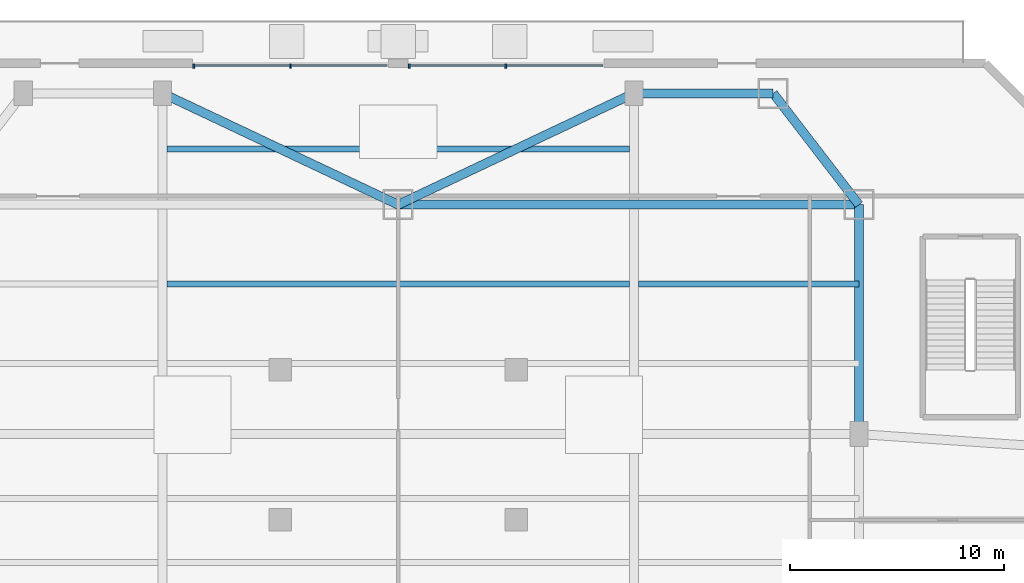
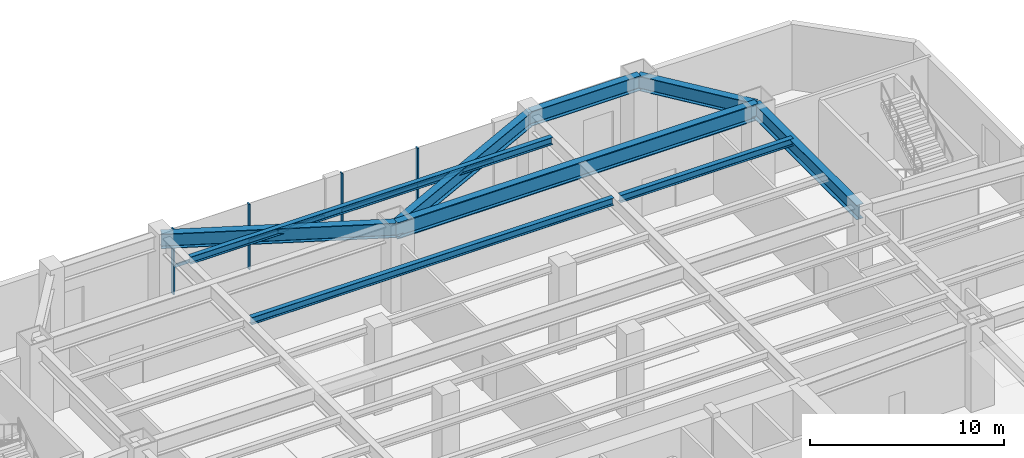
# One storey, part 2 of 9: 9 beams, 8 members, 2 elements without a shape of their own.
"""IFC4 building model written with IfcOpenShell, lengths in metres."""

from ifc_helpers import new_model, si_unit, direction, frame, origin, origin_2d, place, context, subcontext, project, spatial, rectangle, i_section, extrude, source, transform, mapped, material, material_profile, profile_set, type_object, type_shapes, element, aggregate, save


model = new_model("IFC4")

# Units and contexts
model_context = context("Model", 3, precision=1e-05, world=origin(), true_north=direction((0.0, 1.0)))
body_context = subcontext(model_context, "Body", "Model", "MODEL_VIEW")
ifc_project = project(units=[si_unit("LENGTHUNIT", "METRE"), si_unit("AREAUNIT", "SQUARE_METRE"), si_unit("VOLUMEUNIT", "CUBIC_METRE"), si_unit("PLANEANGLEUNIT", "RADIAN"), si_unit("MASSUNIT", "GRAM", prefix="KILO")], contexts=[model_context])

# Site, building, storey
site_placement = place(None, origin())
site = spatial("IfcSite", under=ifc_project, at=site_placement, CompositionType="ELEMENT")
building_placement = place(site_placement, origin())
building = spatial("IfcBuilding", under=site, at=building_placement, Name="Varnakhor Terracotta Tower", CompositionType="ELEMENT")
storey_placement = place(building_placement, frame((0.0, 0.0, 11.0)))
storey = spatial("IfcBuildingStorey", under=building, at=storey_placement, Name="L02", CompositionType="ELEMENT", Elevation=11.0)

# Beams
ifc_material_1 = material(Name="Steel S355", Category="steel")
ifc_material_profile_1 = material_profile(ifc_material_1, i_section(OverallWidth=0.41796875, OverallDepth=0.927001953125, WebThickness=0.01904296875, FlangeThickness=0.031982421875, FilletRadius=0.01806640625, at=origin_2d()), Name="W36X231")
ifc_profile_set_1 = profile_set([ifc_material_profile_1], Name="Steel S355")
beam_type_1 = type_object("IfcBeamType", Name="BM-W36X231", PredefinedType="BEAM", material=ifc_profile_set_1)
shared_shape_1 = source(origin(), body_context, "Body", "SweptSolid", [
    extrude(i_section(OverallWidth=0.41796875, OverallDepth=0.927001953125, WebThickness=0.01904296875, FlangeThickness=0.031982421875, FilletRadius=0.01806640625, at=origin_2d()), origin(), (0.0, 0.0, 1.0), 10.699951171875),
])
beam_1_placement = place(storey_placement, frame((21.5, 39.199951171875, 4.721435546875), z_axis=(0.0, -1.0, 0.0), x_axis=(1.0, 0.0, 0.0)))
element("IfcBeam", 1, at=beam_1_placement, inside=storey, type_object=beam_type_1, Name="L02 Podium Ring Girder 11", PredefinedType="BEAM", context=body_context, shape_type="MappedRepresentation", body=[
    mapped(shared_shape_1, transform((0.0, 0.0, 0.0), scale=1.0)),
])
shared_shape_2 = source(origin(), body_context, "Body", "SweptSolid", [
    extrude(i_section(OverallWidth=0.41796875, OverallDepth=0.927001953125, WebThickness=0.01904296875, FlangeThickness=0.031982421875, FilletRadius=0.01806640625, at=origin_2d()), origin(), (0.0, 0.0, 1.0), 6.560546875),
])
beam_2_placement = place(storey_placement, frame((17.5, 44.39990234375, 4.721435546875), z_axis=(0.609714357737, -0.792621222255, 0.0), x_axis=(0.792621222255, 0.609714357737, 0.0)))
element("IfcBeam", 2, at=beam_2_placement, inside=storey, type_object=beam_type_1, Name="L02 Podium Ring Girder 10", PredefinedType="BEAM", context=body_context, shape_type="MappedRepresentation", body=[
    mapped(shared_shape_2, transform((0.0, 0.0, 0.0), scale=1.0)),
])
shared_shape_3 = source(origin(), body_context, "Body", "SweptSolid", [
    extrude(i_section(OverallWidth=0.41796875, OverallDepth=0.927001953125, WebThickness=0.01904296875, FlangeThickness=0.031982421875, FilletRadius=0.01806640625, at=origin_2d()), origin(), (0.0, 0.0, 1.0), 6.5),
])
beam_3_placement = place(storey_placement, frame((11.0, 44.39990234375, 4.721435546875), z_axis=(1.0, 0.0, 0.0), x_axis=(0.0, 1.0, 0.0)))
element("IfcBeam", 3, at=beam_3_placement, inside=storey, type_object=beam_type_1, Name="L02 Podium Ring Girder 9", PredefinedType="BEAM", context=body_context, shape_type="MappedRepresentation", body=[
    mapped(shared_shape_3, transform((0.0, 0.0, 0.0), scale=1.0)),
])
shared_shape_4 = source(origin(), body_context, "Body", "SweptSolid", [
    extrude(i_section(OverallWidth=0.41796875, OverallDepth=0.927001953125, WebThickness=0.01904296875, FlangeThickness=0.031982421875, FilletRadius=0.01806640625, at=origin_2d()), origin(), (0.0, 0.0, 1.0), 12.167236328125),
])
for number, where, z_axis, x_axis, name in (
    (4, (-11.0, 44.39990234375, 4.721435546875), (0.904073817094, -0.427376336787, 0.0), (0.427376336787, 0.904073817094, 0.0), "L02 Podium Ring Girder 7"),
    (5, (0.0, 39.199951171875, 4.721435546875), (0.904073817094, 0.427376336787, 0.0), (-0.427376336787, 0.904073817094, 0.0), "L02 Podium Ring Girder 8"),
):
    element("IfcBeam", number, at=place(storey_placement, frame(where, z_axis=z_axis, x_axis=x_axis)), inside=storey, type_object=beam_type_1, Name=name, PredefinedType="BEAM", context=body_context, shape_type="MappedRepresentation", body=[
        mapped(shared_shape_4, transform((0.0, 0.0, 0.0), scale=1.0)),
    ])
ifc_material_2 = material(Name="Steel S460", Category="steel")
ifc_material_profile_2 = material_profile(ifc_material_2, i_section(OverallWidth=0.419921875, OverallDepth=1.0400390625, WebThickness=0.031005859375, FlangeThickness=0.055908203125, FilletRadius=0.01806640625, at=origin_2d()), Name="W40X397")
ifc_profile_set_2 = profile_set([ifc_material_profile_2], Name="Steel S460")
beam_type_2 = type_object("IfcBeamType", Name="BM-W40X397", PredefinedType="BEAM", material=ifc_profile_set_2)
shared_shape_5 = source(origin(), body_context, "Body", "SweptSolid", [
    extrude(i_section(OverallWidth=0.419921875, OverallDepth=1.0400390625, WebThickness=0.031005859375, FlangeThickness=0.055908203125, FilletRadius=0.01806640625, at=origin_2d()), origin(), (0.0, 0.0, 1.0), 21.5),
])
beam_4_placement = place(storey_placement, frame((0.0, 39.199951171875, 4.6650390625), z_axis=(1.0, 0.0, 0.0), x_axis=(0.0, 1.0, 0.0)))
element("IfcBeam", 6, at=beam_4_placement, inside=storey, type_object=beam_type_2, Name="L02 Podium Primary Girder GN3", PredefinedType="BEAM", context=body_context, shape_type="MappedRepresentation", body=[
    mapped(shared_shape_5, transform((0.0, 0.0, 0.0), scale=1.0)),
])
ifc_material_profile_3 = material_profile(ifc_material_1, i_section(OverallWidth=0.280029296875, OverallDepth=0.462890625, WebThickness=0.010986328125, FlangeThickness=0.01708984375, FilletRadius=0.01806640625, at=origin_2d()), Name="W18X76")
ifc_profile_set_3 = profile_set([ifc_material_profile_3], Name="Steel S355")
beam_type_3 = type_object("IfcBeamType", Name="JST-W18X76", PredefinedType="JOIST", material=ifc_profile_set_3)
shared_shape_6 = source(origin(), body_context, "Body", "SweptSolid", [
    extrude(i_section(OverallWidth=0.280029296875, OverallDepth=0.462890625, WebThickness=0.010986328125, FlangeThickness=0.01708984375, FilletRadius=0.01806640625, at=origin_2d()), origin(), (0.0, 0.0, 1.0), 10.2939453125),
])
type_shapes(beam_type_3, [shared_shape_6])
beam_5_placement = place(storey_placement, frame((11.2060546875, 35.5, 4.95361328125), z_axis=(1.0, 0.0, 0.0), x_axis=(0.0, 1.0, 0.0)))
element("IfcBeam", 7, at=beam_5_placement, inside=storey, type_object=beam_type_3, Name="L02 Podium Joist 5E", PredefinedType="JOIST", context=body_context, shape_type="MappedRepresentation", body=[
    mapped(shared_shape_6, transform((0.0, 0.0, 0.0), scale=1.0)),
])
shared_shape_7 = source(origin(), body_context, "Body", "SweptSolid", [
    extrude(i_section(OverallWidth=0.280029296875, OverallDepth=0.462890625, WebThickness=0.010986328125, FlangeThickness=0.01708984375, FilletRadius=0.01806640625, at=origin_2d()), origin(), (0.0, 0.0, 1.0), 21.587890625),
])
for number, where, z_axis, x_axis, name in (
    (8, (-10.7939453125, 35.5, 4.95361328125), (1.0, 0.0, 0.0), (0.0, 1.0, 0.0), "L02 Podium Joist 5C"),
    (9, (-10.7939453125, 41.800048828125, 4.95361328125), (1.0, 0.0, 0.0), (0.0, 1.0, 0.0), "L02 Podium Joist 6C"),
):
    element("IfcBeam", number, at=place(storey_placement, frame(where, z_axis=z_axis, x_axis=x_axis)), inside=storey, type_object=beam_type_3, Name=name, PredefinedType="JOIST", context=body_context, shape_type="MappedRepresentation", body=[
        mapped(shared_shape_7, transform((0.0, 0.0, 0.0), scale=1.0)),
    ])

# Curtain wall, member
ifc_material_3 = material(Name="Anodised Aluminium Curtain Wall System", Category="aluminium")
curtain_wall_type = type_object("IfcCurtainWallType", Name="CW-SYS-PODIUM", PredefinedType="NOTDEFINED", material=ifc_material_3)
curtain_wall_1_placement = place(storey_placement, origin())
curtain_wall_1 = element("IfcCurtainWall", 10, at=curtain_wall_1_placement, inside=storey, type_object=curtain_wall_type, Name="L02 North West Foyer Curtain Wall", PredefinedType="NOTDEFINED")
ifc_material_4 = material(Name="Anodised Aluminium 6063-T6", Category="aluminium")
ifc_material_profile_4 = material_profile(ifc_material_4, rectangle(XDim=0.0849609375, YDim=0.199951171875, at=origin_2d()), Name="ALU TRANSOM 85x200")
ifc_profile_set_4 = profile_set([ifc_material_profile_4], Name="Anodised Aluminium 6063-T6")
member_type_1 = type_object("IfcMemberType", Name="CWT-01", PredefinedType="USERDEFINED", material=ifc_profile_set_4)
shared_shape_8 = source(origin(), body_context, "Body", "SweptSolid", [
    extrude(rectangle(XDim=0.0849609375, YDim=0.199951171875, at=origin_2d()), origin(), (0.0, 0.0, 1.0), 4.51513671875),
])
type_shapes(member_type_1, [shared_shape_8])
member_1_placement = place(storey_placement, frame((-9.5400390625, 45.679931640625, 1.732421875), z_axis=(1.0, 0.0, 0.0), x_axis=(0.0, 1.0, 0.0)))
member_1 = element("IfcMember", 11, at=member_1_placement, type_object=member_type_1, Name="L02 North West Foyer Curtain Wall Transom 1", ObjectType="TRANSOM", PredefinedType="USERDEFINED", context=body_context, shape_type="MappedRepresentation", body=[
    mapped(shared_shape_8, transform((0.0, 0.0, 0.0), scale=1.0)),
])

curtain_wall_2_placement = place(storey_placement, origin())
curtain_wall_2 = element("IfcCurtainWall", 12, at=curtain_wall_2_placement, inside=storey, type_object=curtain_wall_type, Name="L02 North East Foyer Curtain Wall", PredefinedType="NOTDEFINED")
member_2_placement = place(storey_placement, frame((5.02490234375, 45.679931640625, 1.732421875), z_axis=(1.0, 0.0, 0.0), x_axis=(0.0, 1.0, 0.0)))
member_2 = element("IfcMember", 13, at=member_2_placement, type_object=member_type_1, Name="L02 North East Foyer Curtain Wall Transom 2", ObjectType="TRANSOM", PredefinedType="USERDEFINED", context=body_context, shape_type="MappedRepresentation", body=[
    mapped(shared_shape_8, transform((0.0, 0.0, 0.0), scale=1.0)),
])

# Member
shared_shape_9 = source(origin(), body_context, "Body", "SweptSolid", [
    extrude(rectangle(XDim=0.0849609375, YDim=0.199951171875, at=origin_2d()), origin(), (0.0, 0.0, 1.0), 4.514892578125),
])
member_3_placement = place(storey_placement, frame((-5.02490234375, 45.679931640625, 1.732421875), z_axis=(1.0, 0.0, 0.0), x_axis=(0.0, 1.0, 0.0)))
member_3 = element("IfcMember", 14, at=member_3_placement, type_object=member_type_1, Name="L02 North West Foyer Curtain Wall Transom 2", ObjectType="TRANSOM", PredefinedType="USERDEFINED", context=body_context, shape_type="MappedRepresentation", body=[
    mapped(shared_shape_9, transform((0.0, 0.0, 0.0), scale=1.0)),
])

member_4_placement = place(storey_placement, frame((0.510009765625, 45.679931640625, 1.732421875), z_axis=(1.0, 0.0, 0.0), x_axis=(0.0, 1.0, 0.0)))
member_4 = element("IfcMember", 15, at=member_4_placement, type_object=member_type_1, Name="L02 North East Foyer Curtain Wall Transom 1", ObjectType="TRANSOM", PredefinedType="USERDEFINED", context=body_context, shape_type="MappedRepresentation", body=[
    mapped(shared_shape_9, transform((0.0, 0.0, 0.0), scale=1.0)),
])

ifc_material_profile_5 = material_profile(ifc_material_4, rectangle(XDim=0.0849609375, YDim=0.219970703125, at=origin_2d()), Name="ALU MULLION 85x220")
ifc_profile_set_5 = profile_set([ifc_material_profile_5], Name="Anodised Aluminium 6063-T6")
member_type_2 = type_object("IfcMemberType", Name="CWM-01", PredefinedType="MULLION", material=ifc_profile_set_5)
shared_shape_10 = source(origin(), body_context, "Body", "SweptSolid", [
    extrude(rectangle(XDim=0.0849609375, YDim=0.219970703125, at=origin_2d()), origin(), (0.0, 0.0, 1.0), 4.125),
])
member_5_placement = place(storey_placement, frame((-9.5400390625, 45.679931640625, 0.0), z_axis=(0.0, 0.0, 1.0), x_axis=(1.0, 0.0, 0.0)))
member_5 = element("IfcMember", 16, at=member_5_placement, type_object=member_type_2, Name="L02 North West Foyer Curtain Wall Mullion 1", PredefinedType="MULLION", context=body_context, shape_type="MappedRepresentation", body=[
    mapped(shared_shape_10, transform((0.0, 0.0, 0.0), scale=1.0)),
])

member_6_placement = place(storey_placement, frame((-5.02490234375, 45.679931640625, 0.0), z_axis=(0.0, 0.0, 1.0), x_axis=(1.0, 0.0, 0.0)))
member_6 = element("IfcMember", 17, at=member_6_placement, type_object=member_type_2, Name="L02 North West Foyer Curtain Wall Mullion 2", PredefinedType="MULLION", context=body_context, shape_type="MappedRepresentation", body=[
    mapped(shared_shape_10, transform((0.0, 0.0, 0.0), scale=1.0)),
])

aggregate(curtain_wall_1, [member_5, member_1, member_6, member_3])

member_7_placement = place(storey_placement, frame((0.510009765625, 45.679931640625, 0.0), z_axis=(0.0, 0.0, 1.0), x_axis=(1.0, 0.0, 0.0)))
member_7 = element("IfcMember", 18, at=member_7_placement, type_object=member_type_2, Name="L02 North East Foyer Curtain Wall Mullion 1", PredefinedType="MULLION", context=body_context, shape_type="MappedRepresentation", body=[
    mapped(shared_shape_10, transform((0.0, 0.0, 0.0), scale=1.0)),
])

member_8_placement = place(storey_placement, frame((5.02490234375, 45.679931640625, 0.0), z_axis=(0.0, 0.0, 1.0), x_axis=(1.0, 0.0, 0.0)))
member_8 = element("IfcMember", 19, at=member_8_placement, type_object=member_type_2, Name="L02 North East Foyer Curtain Wall Mullion 2", PredefinedType="MULLION", context=body_context, shape_type="MappedRepresentation", body=[
    mapped(shared_shape_10, transform((0.0, 0.0, 0.0), scale=1.0)),
])

aggregate(curtain_wall_2, [member_7, member_4, member_8, member_2])

save(model, "model.ifc")
